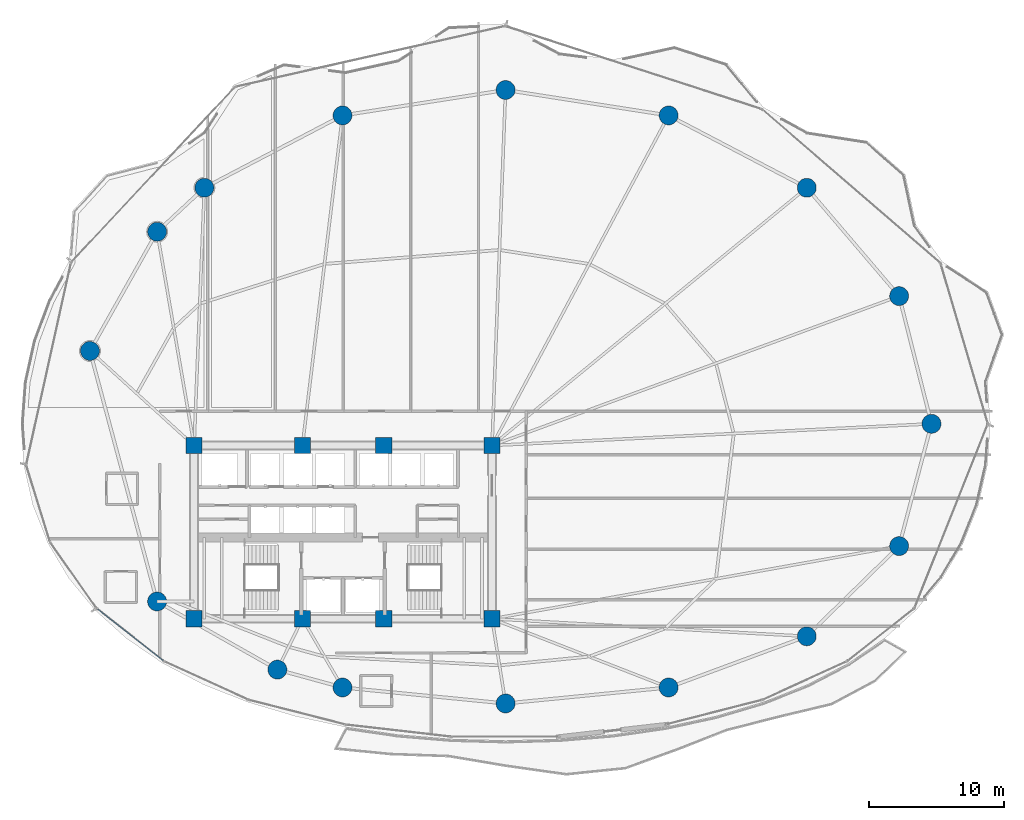
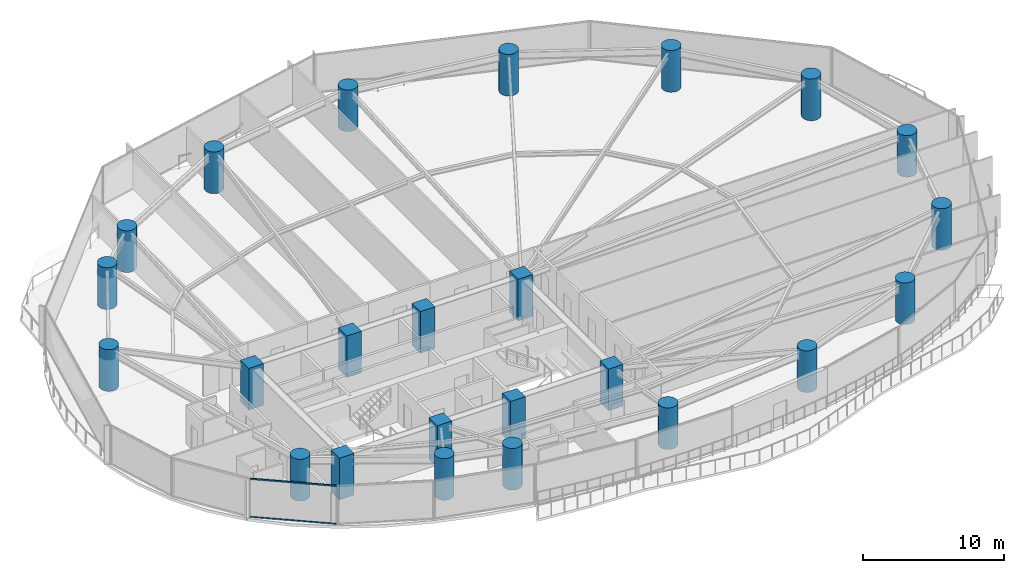
# One storey, part 1 of 34: 24 columns, 2 members, 1 element without a shape of its own.
"""IFC4 building model written with IfcOpenShell, lengths in metres."""

from ifc_helpers import new_model, si_unit, direction, frame, origin, origin_2d, place, context, subcontext, project, spatial, rectangle, hollow_rectangle, circle, extrude, material, layer, layer_set, material_profile, profile_set, type_object, element, aggregate, save


model = new_model("IFC4")

# Units and contexts
model_context = context("Model", 3, precision=1e-05, world=origin(), true_north=direction((0.0, 1.0)))
body_context = subcontext(model_context, "Body", "Model", "MODEL_VIEW")
ifc_project = project(units=[si_unit("LENGTHUNIT", "METRE"), si_unit("AREAUNIT", "SQUARE_METRE"), si_unit("VOLUMEUNIT", "CUBIC_METRE"), si_unit("PLANEANGLEUNIT", "RADIAN"), si_unit("MASSUNIT", "GRAM", prefix="KILO")], contexts=[model_context])

# Site, building, storey
site_placement = place(None, origin())
site = spatial("IfcSite", under=ifc_project, at=site_placement, CompositionType="ELEMENT")
building_placement = place(site_placement, origin())
building = spatial("IfcBuilding", under=site, at=building_placement, Name="Kazevale Care Tower and Concert Hall", CompositionType="ELEMENT")
storey_placement = place(building_placement, frame((0.0, 0.0, 67.199951171875)))
storey = spatial("IfcBuildingStorey", under=building, at=storey_placement, Name="L17", CompositionType="ELEMENT", Elevation=67.199951171875)

# Columns
ifc_material_1 = material(Name="Concrete C70", Category="concrete")
ifc_material_profile_1 = material_profile(ifc_material_1, rectangle(XDim=1.199951171875, YDim=1.199951171875, at=origin_2d()), Name="RC-SQ1200")
ifc_profile_set_1 = profile_set([ifc_material_profile_1], Name="Concrete C70")
column_type_1 = type_object("IfcColumnType", Name="Core Column SQ1200 C70", PredefinedType="COLUMN", material=ifc_profile_set_1)
for number, where, z_axis, x_axis, name in (
    (1, (22.0, 23.60009765625, 0.0), (0.0, 0.0, 1.0), (1.0, 0.0, 0.0), "col:L17:CC-01"),
    (2, (30.0, 23.60009765625, 0.0), (0.0, 0.0, 1.0), (1.0, 0.0, 0.0), "col:L17:CC-02"),
    (3, (36.0, 23.60009765625, 0.0), (0.0, 0.0, 1.0), (1.0, 0.0, 0.0), "col:L17:CC-03"),
    (4, (44.0, 23.60009765625, 0.0), (0.0, 0.0, 1.0), (1.0, 0.0, 0.0), "col:L17:CC-04"),
    (5, (44.0, 36.39990234375, 0.0), (0.0, 0.0, 1.0), (1.0, 0.0, 0.0), "col:L17:CC-05"),
    (6, (36.0, 36.39990234375, 0.0), (0.0, 0.0, 1.0), (1.0, 0.0, 0.0), "col:L17:CC-06"),
    (7, (30.0, 36.39990234375, 0.0), (0.0, 0.0, 1.0), (1.0, 0.0, 0.0), "col:L17:CC-07"),
    (8, (22.0, 36.39990234375, 0.0), (0.0, 0.0, 1.0), (1.0, 0.0, 0.0), "col:L17:CC-08"),
):
    element("IfcColumn", number, at=place(storey_placement, frame(where, z_axis=z_axis, x_axis=x_axis)), inside=storey, type_object=column_type_1, Name=name, PredefinedType="COLUMN", context=body_context, shape_type="SweptSolid", body=[
        extrude(rectangle(XDim=1.199951171875, YDim=1.199951171875, at=origin_2d()), origin(), (0.0, 0.0, 1.0), 3.60009765625),
    ])
ifc_material_profile_2 = material_profile(ifc_material_1, circle(Radius=0.699951171875, at=origin_2d()), Name="RC-CIR1400")
ifc_profile_set_2 = profile_set([ifc_material_profile_2], Name="Concrete C70")
column_type_2 = type_object("IfcColumnType", Name="Perimeter Column CIR1400 C70", PredefinedType="COLUMN", material=ifc_profile_set_2)
for number, where, z_axis, x_axis, name in (
    (9, (76.449951171875, 38.0, 0.0), (0.0, 0.0, 1.0), (1.0, 0.0, 0.0), "col:L17:PC-01"),
    (10, (74.06005859375, 47.429931640625, 0.0), (0.0, 0.0, 1.0), (1.0, 0.0, 0.0), "col:L17:PC-02"),
    (11, (67.239990234375, 55.429931640625, 0.0), (0.0, 0.0, 1.0), (1.0, 0.0, 0.0), "col:L17:PC-03"),
    (12, (57.0400390625, 60.77001953125, 0.0), (0.0, 0.0, 1.0), (1.0, 0.0, 0.0), "col:L17:PC-04"),
    (13, (45.0, 62.64990234375, 0.0), (0.0, 0.0, 1.0), (1.0, 0.0, 0.0), "col:L17:PC-05"),
    (14, (32.9599609375, 60.77001953125, 0.0), (0.0, 0.0, 1.0), (1.0, 0.0, 0.0), "col:L17:PC-06"),
    (15, (22.760009765625, 55.429931640625, 0.0), (0.0, 0.0, 1.0), (1.0, 0.0, 0.0), "col:L17:PC-07"),
    (16, (19.27001953125, 52.179931640625, 0.0), (0.0, 0.0, 1.0), (1.0, 0.0, 0.0), "col:L17:PC-08"),
    (17, (14.31005859375, 43.3798828125, 0.0), (0.0, 0.0, 1.0), (1.0, 0.0, 0.0), "col:L17:PC-09"),
    (18, (19.27001953125, 24.8798828125, 0.0), (0.0, 0.0, 1.0), (1.0, 0.0, 0.0), "col:L17:PC-10"),
    (19, (28.14990234375, 19.85009765625, 0.0), (0.0, 0.0, 1.0), (1.0, 0.0, 0.0), "col:L17:PC-11"),
    (20, (32.9599609375, 18.530029296875, 0.0), (0.0, 0.0, 1.0), (1.0, 0.0, 0.0), "col:L17:PC-12"),
    (21, (45.0, 17.35009765625, 0.0), (0.0, 0.0, 1.0), (1.0, 0.0, 0.0), "col:L17:PC-13"),
    (22, (57.0400390625, 18.530029296875, 0.0), (0.0, 0.0, 1.0), (1.0, 0.0, 0.0), "col:L17:PC-14"),
    (23, (67.239990234375, 22.31005859375, 0.0), (0.0, 0.0, 1.0), (1.0, 0.0, 0.0), "col:L17:PC-15"),
    (24, (74.06005859375, 28.969970703125, 0.0), (0.0, 0.0, 1.0), (1.0, 0.0, 0.0), "col:L17:PC-16"),
):
    element("IfcColumn", number, at=place(storey_placement, frame(where, z_axis=z_axis, x_axis=x_axis)), inside=storey, type_object=column_type_2, Name=name, PredefinedType="COLUMN", context=body_context, shape_type="SweptSolid", body=[
        extrude(circle(Radius=0.699951171875, at=origin_2d()), origin(), (0.0, 0.0, 1.0), 3.60009765625),
    ])

# Curtain wall, members
ifc_material_2 = material(Name="Aluminium 6063-T6 and Low-E Glass", Category="aluminium")
ifc_layer = layer(ifc_material_2, 0.179931640625)
ifc_layer_set = layer_set([ifc_layer], Name="Aluminium 6063-T6 and Low-E Glass")
curtain_wall_type = type_object("IfcCurtainWallType", Name="Sheltered Concave Balcony Curtain Wall CW-5", PredefinedType="NOTDEFINED", material=ifc_layer_set)
curtain_wall_placement = place(storey_placement, origin())
curtain_wall = element("IfcCurtainWall", 25, at=curtain_wall_placement, inside=storey, type_object=curtain_wall_type, Name="cw:L17:f10", PredefinedType="NOTDEFINED")
ifc_material_3 = material(Name="Aluminium 6063-T6", Category="aluminium")
ifc_material_profile_3 = material_profile(ifc_material_3, hollow_rectangle(XDim=0.074951171875, YDim=0.1201171875, WallThickness=0.00390625, at=origin_2d()), Name="ALU75x120x4")
ifc_profile_set_3 = profile_set([ifc_material_profile_3], Name="Aluminium 6063-T6")
member_type = type_object("IfcMemberType", Name="CW-5 Transom ALU75x120x4", PredefinedType="USERDEFINED", material=ifc_profile_set_3)
member_1_placement = place(storey_placement, frame((19.718994140625, 20.513427734375, 0.03759765625), z_axis=(-0.78633897536, 0.617795286344, 0.0), x_axis=(-0.617795286344, -0.78633897536, 0.0)))
member_1 = element("IfcMember", 26, at=member_1_placement, type_object=member_type, Name="CW-5 transom 1.1", ObjectType="TRANSOM", PredefinedType="USERDEFINED", context=body_context, shape_type="SweptSolid", body=[
    extrude(hollow_rectangle(XDim=0.074951171875, YDim=0.1201171875, WallThickness=0.00390625, at=origin_2d()), origin(), (0.0, 0.0, 1.0), 6.15771484375),
])
member_2_placement = place(storey_placement, frame((19.718994140625, 20.513427734375, 3.322509765625), z_axis=(-0.78633897536, 0.617795286344, 0.0), x_axis=(-0.617795286344, -0.78633897536, 0.0)))
member_2 = element("IfcMember", 27, at=member_2_placement, type_object=member_type, Name="CW-5 transom 1.2", ObjectType="TRANSOM", PredefinedType="USERDEFINED", context=body_context, shape_type="SweptSolid", body=[
    extrude(hollow_rectangle(XDim=0.074951171875, YDim=0.1201171875, WallThickness=0.00390625, at=origin_2d()), origin(), (0.0, 0.0, 1.0), 6.15771484375),
])
aggregate(curtain_wall, [member_1, member_2])

save(model, "model.ifc")
